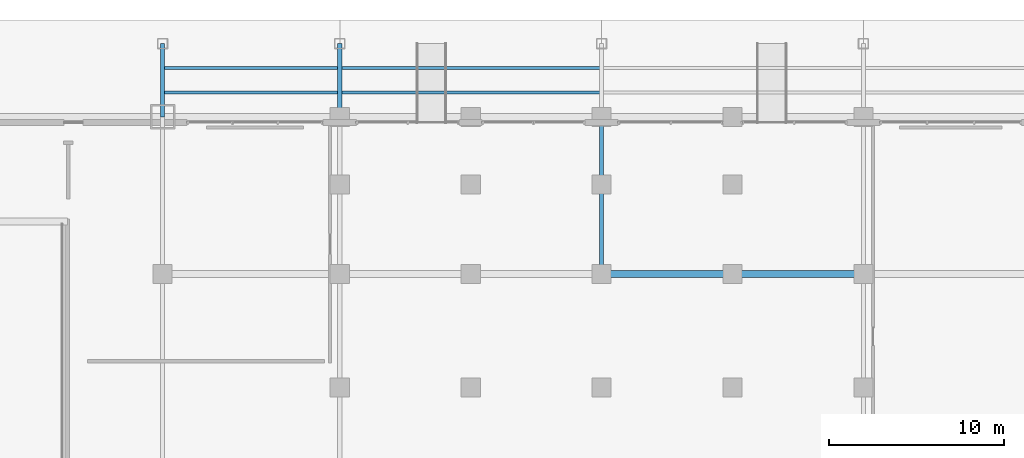
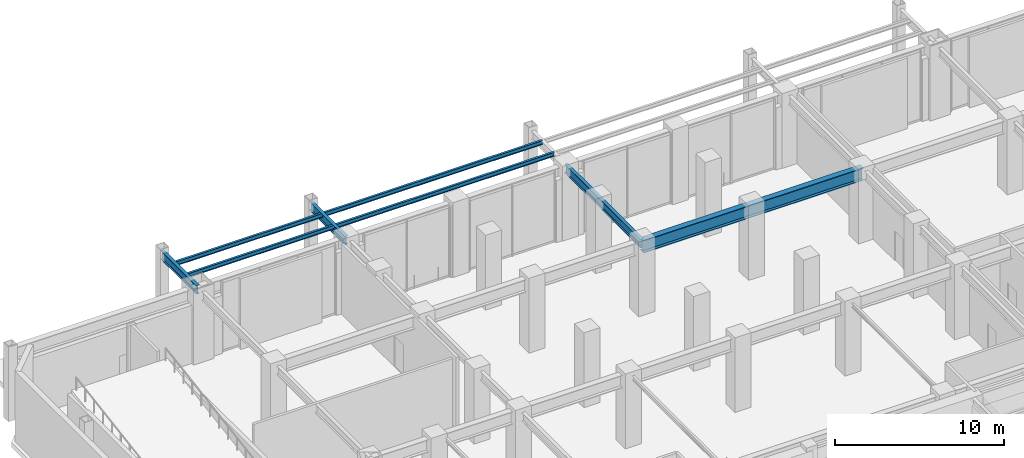
# One storey, part 7 of 23: 4 beams, 4 members.
"""IFC4 building model written with IfcOpenShell, lengths in metres."""

from ifc_helpers import new_model, si_unit, direction, frame, origin, origin_2d, place, context, subcontext, project, spatial, i_section, extrude, material, material_profile, profile_set, type_object, element, save


model = new_model("IFC4")

# Units and contexts
model_context = context("Model", 3, precision=1e-05, world=origin(), true_north=direction((0.0, 1.0)))
body_context = subcontext(model_context, "Body", "Model", "MODEL_VIEW")
ifc_project = project(units=[si_unit("LENGTHUNIT", "METRE"), si_unit("AREAUNIT", "SQUARE_METRE"), si_unit("VOLUMEUNIT", "CUBIC_METRE"), si_unit("PLANEANGLEUNIT", "RADIAN"), si_unit("MASSUNIT", "GRAM", prefix="KILO")], contexts=[model_context])

# Site, building, storey
site_placement = place(None, origin())
site = spatial("IfcSite", under=ifc_project, at=site_placement, CompositionType="ELEMENT")
building_placement = place(site_placement, origin())
building = spatial("IfcBuilding", under=site, at=building_placement, Name="Ventersveld Concourse Tower", CompositionType="ELEMENT")
storey_placement = place(building_placement, origin())
storey = spatial("IfcBuildingStorey", under=building, at=storey_placement, Name="L00", CompositionType="ELEMENT", Elevation=0.0)

# Beams
ifc_material = material(Name="Structural steel S355J2", Category="steel")
ifc_material_profile_1 = material_profile(ifc_material, i_section(OverallWidth=0.39990234375, OverallDepth=0.89990234375, WebThickness=0.02197265625, FlangeThickness=0.035888671875, at=origin_2d()), Name="PG 900x400x36")
ifc_profile_set_1 = profile_set([ifc_material_profile_1], Name="Structural steel S355J2")
beam_type_1 = type_object("IfcBeamType", Name="GRD-PG900", PredefinedType="USERDEFINED", material=ifc_profile_set_1)
beam_1_placement = place(storey_placement, frame((28.75, 35.0, 4.64990234375), z_axis=(1.0, 0.0, 0.0), x_axis=(0.0, 1.0, 0.0)))
element("IfcBeam", 1, at=beam_1_placement, inside=storey, type_object=beam_type_1, Name="L00 Podium Primary Girder Y=35.0m", ObjectType="GIRDER", PredefinedType="USERDEFINED", context=body_context, shape_type="SweptSolid", body=[
    extrude(i_section(OverallWidth=0.39990234375, OverallDepth=0.89990234375, WebThickness=0.02197265625, FlangeThickness=0.035888671875, at=origin_2d()), origin(), (0.0, 0.0, 1.0), 15.0),
])
ifc_material_profile_2 = material_profile(ifc_material, i_section(OverallWidth=0.230224609375, OverallDepth=0.6171875, WebThickness=0.01318359375, FlangeThickness=0.022216796875, FilletRadius=0.0126953125, at=origin_2d()), Name="UB 610x229x140")
ifc_profile_set_2 = profile_set([ifc_material_profile_2], Name="Structural steel S355J2")
beam_type_2 = type_object("IfcBeamType", Name="GRD-UB610", PredefinedType="USERDEFINED", material=ifc_profile_set_2)
for number, where, z_axis, x_axis, name in (
    (2, (3.60009765625, 44.0, 4.79150390625), (0.0, 1.0, 0.0), (-1.0, 0.0, 0.0), "L00 Podium N-S Girder X=3.60m"),
    (3, (13.75, 44.0, 4.79150390625), (0.0, 1.0, 0.0), (-1.0, 0.0, 0.0), "L00 Podium N-S Girder X=13.75m"),
):
    element("IfcBeam", number, at=place(storey_placement, frame(where, z_axis=z_axis, x_axis=x_axis)), inside=storey, type_object=beam_type_2, Name=name, ObjectType="GIRDER", PredefinedType="USERDEFINED", context=body_context, shape_type="SweptSolid", body=[
        extrude(i_section(OverallWidth=0.230224609375, OverallDepth=0.6171875, WebThickness=0.01318359375, FlangeThickness=0.022216796875, FilletRadius=0.0126953125, at=origin_2d()), origin(), (0.0, 0.0, 1.0), 4.199951171875),
    ])
beam_2_placement = place(storey_placement, frame((28.75, 35.0, 4.79150390625), z_axis=(0.0, 1.0, 0.0), x_axis=(-1.0, 0.0, 0.0)))
element("IfcBeam", 4, at=beam_2_placement, inside=storey, type_object=beam_type_2, Name="L00 Podium N-S Girder X=28.75m", ObjectType="GIRDER", PredefinedType="USERDEFINED", context=body_context, shape_type="SweptSolid", body=[
    extrude(i_section(OverallWidth=0.230224609375, OverallDepth=0.6171875, WebThickness=0.01318359375, FlangeThickness=0.022216796875, FilletRadius=0.0126953125, at=origin_2d()), origin(), (0.0, 0.0, 1.0), 9.0),
])

# Members
ifc_material_profile_3 = material_profile(ifc_material, i_section(OverallWidth=0.14990234375, OverallDepth=0.300048828125, WebThickness=0.007080078125, FlangeThickness=0.0107421875, FilletRadius=0.014892578125, at=origin_2d()), Name="IPE 300")
ifc_profile_set_3 = profile_set([ifc_material_profile_3], Name="Structural steel S355J2")
member_type = type_object("IfcMemberType", Name="PUR-IPE300", PredefinedType="PURLIN", material=ifc_profile_set_3)
member_1_placement = place(storey_placement, frame((3.60009765625, 45.39990234375, 4.949951171875), z_axis=(1.0, 0.0, 0.0), x_axis=(0.0, 1.0, 0.0)))
element("IfcMember", 5, at=member_1_placement, inside=storey, type_object=member_type, Name="L00 Concourse Canopy Steel Purlin 1-1", PredefinedType="PURLIN", context=body_context, shape_type="SweptSolid", body=[
    extrude(i_section(OverallWidth=0.14990234375, OverallDepth=0.300048828125, WebThickness=0.007080078125, FlangeThickness=0.0107421875, FilletRadius=0.014892578125, at=origin_2d()), origin(), (0.0, 0.0, 1.0), 10.14990234375),
])
member_2_placement = place(storey_placement, frame((13.75, 45.39990234375, 4.949951171875), z_axis=(1.0, 0.0, 0.0), x_axis=(0.0, 1.0, 0.0)))
element("IfcMember", 6, at=member_2_placement, inside=storey, type_object=member_type, Name="L00 Concourse Canopy Steel Purlin 1-2", PredefinedType="PURLIN", context=body_context, shape_type="SweptSolid", body=[
    extrude(i_section(OverallWidth=0.14990234375, OverallDepth=0.300048828125, WebThickness=0.007080078125, FlangeThickness=0.0107421875, FilletRadius=0.014892578125, at=origin_2d()), origin(), (0.0, 0.0, 1.0), 15.0),
])
member_3_placement = place(storey_placement, frame((3.60009765625, 46.800048828125, 4.949951171875), z_axis=(1.0, 0.0, 0.0), x_axis=(0.0, 1.0, 0.0)))
element("IfcMember", 7, at=member_3_placement, inside=storey, type_object=member_type, Name="L00 Concourse Canopy Steel Purlin 2-1", PredefinedType="PURLIN", context=body_context, shape_type="SweptSolid", body=[
    extrude(i_section(OverallWidth=0.14990234375, OverallDepth=0.300048828125, WebThickness=0.007080078125, FlangeThickness=0.0107421875, FilletRadius=0.014892578125, at=origin_2d()), origin(), (0.0, 0.0, 1.0), 10.14990234375),
])
member_4_placement = place(storey_placement, frame((13.75, 46.800048828125, 4.949951171875), z_axis=(1.0, 0.0, 0.0), x_axis=(0.0, 1.0, 0.0)))
element("IfcMember", 8, at=member_4_placement, inside=storey, type_object=member_type, Name="L00 Concourse Canopy Steel Purlin 2-2", PredefinedType="PURLIN", context=body_context, shape_type="SweptSolid", body=[
    extrude(i_section(OverallWidth=0.14990234375, OverallDepth=0.300048828125, WebThickness=0.007080078125, FlangeThickness=0.0107421875, FilletRadius=0.014892578125, at=origin_2d()), origin(), (0.0, 0.0, 1.0), 15.0),
])

save(model, "model.ifc")
